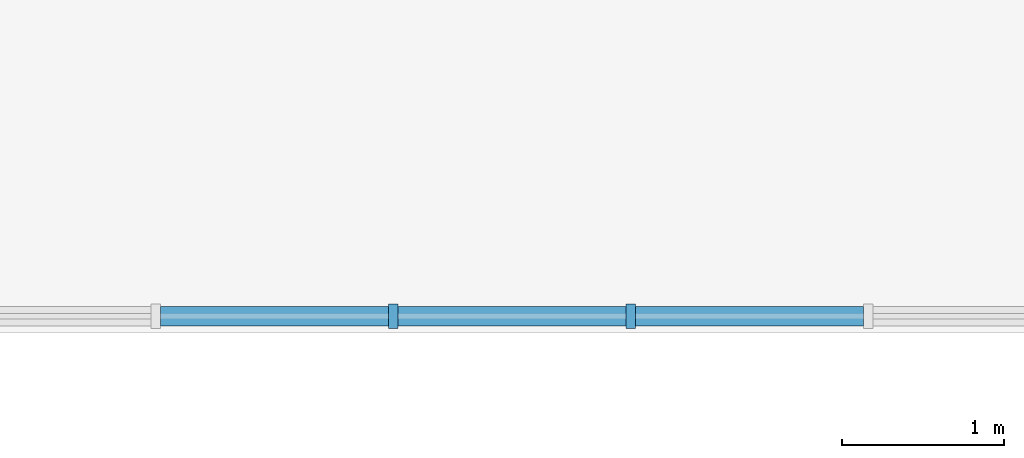
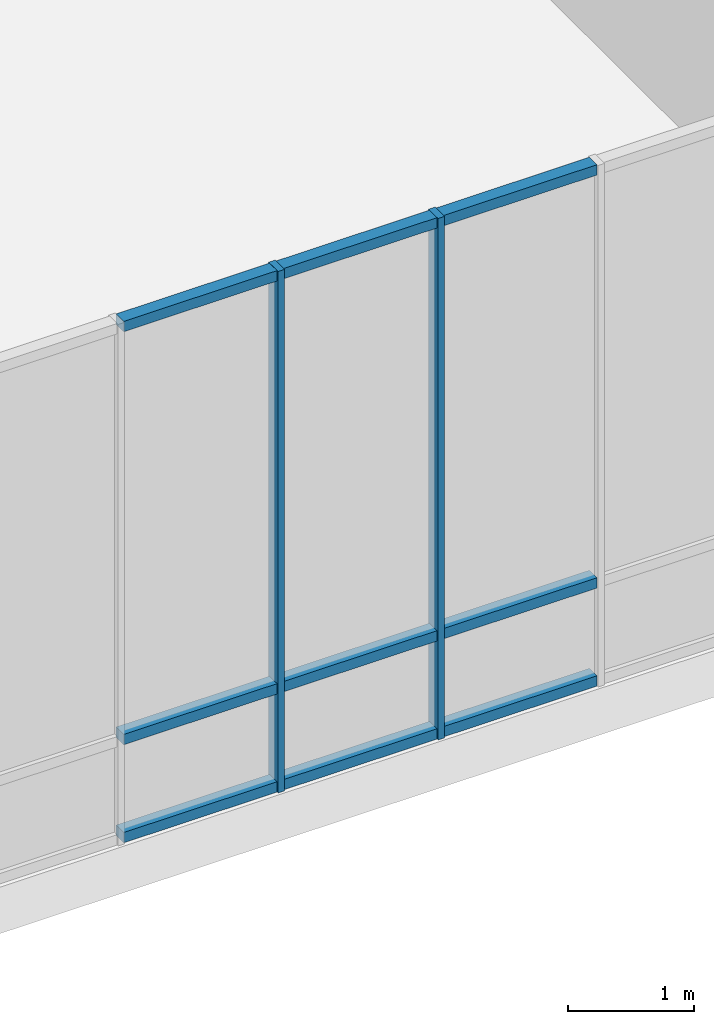
# One storey, part 4 of 30: 11 members, 1 element without a shape of its own.
"""IFC4 building model written with IfcOpenShell, lengths in metres."""

from ifc_helpers import new_model, si_unit, direction, frame, origin, origin_2d, place, context, subcontext, project, spatial, rectangle, extrude, material, layer, layer_set, material_profile, profile_set, type_object, element, aggregate, save


model = new_model("IFC4")

# Units and contexts
model_context = context("Model", 3, precision=1e-05, world=origin(), true_north=direction((0.0, 1.0)))
body_context = subcontext(model_context, "Body", "Model", "MODEL_VIEW")
ifc_project = project(units=[si_unit("LENGTHUNIT", "METRE"), si_unit("AREAUNIT", "SQUARE_METRE"), si_unit("VOLUMEUNIT", "CUBIC_METRE"), si_unit("PLANEANGLEUNIT", "RADIAN"), si_unit("MASSUNIT", "GRAM", prefix="KILO")], contexts=[model_context])

# Site, building, storey
site_placement = place(None, origin())
site = spatial("IfcSite", under=ifc_project, at=site_placement, CompositionType="ELEMENT")
building_placement = place(site_placement, origin())
building = spatial("IfcBuilding", under=site, at=building_placement, Name="Torana Hotel and Residences", CompositionType="ELEMENT")
storey_placement = place(building_placement, frame((0.0, 0.0, 12.5)))
storey = spatial("IfcBuildingStorey", under=building, at=storey_placement, Name="L02", CompositionType="ELEMENT", Elevation=12.5)

# Curtain wall, members
ifc_material_1 = material(Name="Dark anodised aluminium", Category="aluminium")
ifc_layer = layer(ifc_material_1, 0.14990234375)
ifc_layer_set = layer_set([ifc_layer], Name="CW5 PODIUM UPPER UNITISED CURTAIN WALL")
curtain_wall_type = type_object("IfcCurtainWallType", Name="CW5 PODIUM UPPER UNITISED CURTAIN WALL", PredefinedType="NOTDEFINED", material=ifc_layer_set)
curtain_wall_placement = place(storey_placement, origin())
curtain_wall = element("IfcCurtainWall", 1, at=curtain_wall_placement, inside=storey, type_object=curtain_wall_type, Name="Curtain wall CW5 L02 e0.0", PredefinedType="NOTDEFINED")
ifc_material_2 = material(Name="Dark anodised aluminium", Category="aluminium")
ifc_material_profile_1 = material_profile(ifc_material_2, rectangle(XDim=0.14990234375, YDim=0.06005859375, at=origin_2d()), Name="CW5 MULLION 60x150")
ifc_profile_set_1 = profile_set([ifc_material_profile_1], Name="Dark anodised aluminium")
member_type_1 = type_object("IfcMemberType", Name="CW5 MULLION 60x150", PredefinedType="MULLION", material=ifc_profile_set_1)
member_1_placement = place(storey_placement, frame((-18.527587890625, -39.89990234375, 0.0), z_axis=(0.0, 0.0, 1.0), x_axis=(0.0, 1.0, 0.0)))
member_1 = element("IfcMember", 2, at=member_1_placement, type_object=member_type_1, Name="CW5 mullion 17", PredefinedType="MULLION", context=body_context, shape_type="SweptSolid", body=[
    extrude(rectangle(XDim=0.14990234375, YDim=0.06005859375, at=origin_2d()), origin(), (0.0, 0.0, 1.0), 5.050048828125),
])
member_2_placement = place(storey_placement, frame((-17.06201171875, -39.89990234375, 0.0), z_axis=(0.0, 0.0, 1.0), x_axis=(0.0, 1.0, 0.0)))
member_2 = element("IfcMember", 3, at=member_2_placement, type_object=member_type_1, Name="CW5 mullion 18", PredefinedType="MULLION", context=body_context, shape_type="SweptSolid", body=[
    extrude(rectangle(XDim=0.14990234375, YDim=0.06005859375, at=origin_2d()), origin(), (0.0, 0.0, 1.0), 5.050048828125),
])
ifc_material_3 = material(Name="Dark anodised aluminium", Category="aluminium")
ifc_material_profile_2 = material_profile(ifc_material_3, rectangle(XDim=0.1201171875, YDim=0.10009765625, at=origin_2d()), Name="CW5 TRANSOM 120x100")
ifc_profile_set_2 = profile_set([ifc_material_profile_2], Name="Dark anodised aluminium")
member_type_2 = type_object("IfcMemberType", Name="CW5 TRANSOM 120x100", PredefinedType="USERDEFINED", material=ifc_profile_set_2)
member_3_placement = place(storey_placement, frame((-19.962890625, -39.89990234375, 0.050048828125), z_axis=(1.0, 0.0, 0.0), x_axis=(0.0, 1.0, 0.0)))
member_3 = element("IfcMember", 4, at=member_3_placement, type_object=member_type_2, Name="CW5 transom 16.1", ObjectType="TRANSOM", PredefinedType="USERDEFINED", context=body_context, shape_type="SweptSolid", body=[
    extrude(rectangle(XDim=0.1201171875, YDim=0.10009765625, at=origin_2d()), origin(), (0.0, 0.0, 1.0), 1.405517578125),
])
member_4_placement = place(storey_placement, frame((-19.962890625, -39.89990234375, 1.0), z_axis=(1.0, 0.0, 0.0), x_axis=(0.0, 1.0, 0.0)))
member_4 = element("IfcMember", 5, at=member_4_placement, type_object=member_type_2, Name="CW5 transom 16.2", ObjectType="TRANSOM", PredefinedType="USERDEFINED", context=body_context, shape_type="SweptSolid", body=[
    extrude(rectangle(XDim=0.1201171875, YDim=0.10009765625, at=origin_2d()), origin(), (0.0, 0.0, 1.0), 1.405517578125),
])
member_5_placement = place(storey_placement, frame((-19.962890625, -39.89990234375, 5.0), z_axis=(1.0, 0.0, 0.0), x_axis=(0.0, 1.0, 0.0)))
member_5 = element("IfcMember", 6, at=member_5_placement, type_object=member_type_2, Name="CW5 transom 16.3", ObjectType="TRANSOM", PredefinedType="USERDEFINED", context=body_context, shape_type="SweptSolid", body=[
    extrude(rectangle(XDim=0.1201171875, YDim=0.10009765625, at=origin_2d()), origin(), (0.0, 0.0, 1.0), 1.405517578125),
])
member_6_placement = place(storey_placement, frame((-18.49755859375, -39.89990234375, 0.050048828125), z_axis=(1.0, 0.0, 0.0), x_axis=(0.0, 1.0, 0.0)))
member_6 = element("IfcMember", 7, at=member_6_placement, type_object=member_type_2, Name="CW5 transom 17.1", ObjectType="TRANSOM", PredefinedType="USERDEFINED", context=body_context, shape_type="SweptSolid", body=[
    extrude(rectangle(XDim=0.1201171875, YDim=0.10009765625, at=origin_2d()), origin(), (0.0, 0.0, 1.0), 1.405517578125),
])
member_7_placement = place(storey_placement, frame((-18.49755859375, -39.89990234375, 1.0), z_axis=(1.0, 0.0, 0.0), x_axis=(0.0, 1.0, 0.0)))
member_7 = element("IfcMember", 8, at=member_7_placement, type_object=member_type_2, Name="CW5 transom 17.2", ObjectType="TRANSOM", PredefinedType="USERDEFINED", context=body_context, shape_type="SweptSolid", body=[
    extrude(rectangle(XDim=0.1201171875, YDim=0.10009765625, at=origin_2d()), origin(), (0.0, 0.0, 1.0), 1.405517578125),
])
member_8_placement = place(storey_placement, frame((-18.49755859375, -39.89990234375, 5.0), z_axis=(1.0, 0.0, 0.0), x_axis=(0.0, 1.0, 0.0)))
member_8 = element("IfcMember", 9, at=member_8_placement, type_object=member_type_2, Name="CW5 transom 17.3", ObjectType="TRANSOM", PredefinedType="USERDEFINED", context=body_context, shape_type="SweptSolid", body=[
    extrude(rectangle(XDim=0.1201171875, YDim=0.10009765625, at=origin_2d()), origin(), (0.0, 0.0, 1.0), 1.405517578125),
])
member_9_placement = place(storey_placement, frame((-17.031982421875, -39.89990234375, 0.050048828125), z_axis=(1.0, 0.0, 0.0), x_axis=(0.0, 1.0, 0.0)))
member_9 = element("IfcMember", 10, at=member_9_placement, type_object=member_type_2, Name="CW5 transom 18.1", ObjectType="TRANSOM", PredefinedType="USERDEFINED", context=body_context, shape_type="SweptSolid", body=[
    extrude(rectangle(XDim=0.1201171875, YDim=0.10009765625, at=origin_2d()), origin(), (0.0, 0.0, 1.0), 1.405517578125),
])
member_10_placement = place(storey_placement, frame((-17.031982421875, -39.89990234375, 1.0), z_axis=(1.0, 0.0, 0.0), x_axis=(0.0, 1.0, 0.0)))
member_10 = element("IfcMember", 11, at=member_10_placement, type_object=member_type_2, Name="CW5 transom 18.2", ObjectType="TRANSOM", PredefinedType="USERDEFINED", context=body_context, shape_type="SweptSolid", body=[
    extrude(rectangle(XDim=0.1201171875, YDim=0.10009765625, at=origin_2d()), origin(), (0.0, 0.0, 1.0), 1.405517578125),
])
member_11_placement = place(storey_placement, frame((-17.031982421875, -39.89990234375, 5.0), z_axis=(1.0, 0.0, 0.0), x_axis=(0.0, 1.0, 0.0)))
member_11 = element("IfcMember", 12, at=member_11_placement, type_object=member_type_2, Name="CW5 transom 18.3", ObjectType="TRANSOM", PredefinedType="USERDEFINED", context=body_context, shape_type="SweptSolid", body=[
    extrude(rectangle(XDim=0.1201171875, YDim=0.10009765625, at=origin_2d()), origin(), (0.0, 0.0, 1.0), 1.405517578125),
])
aggregate(curtain_wall, [member_1, member_2, member_3, member_4, member_5, member_6, member_7, member_8, member_9, member_10, member_11])

save(model, "model.ifc")
